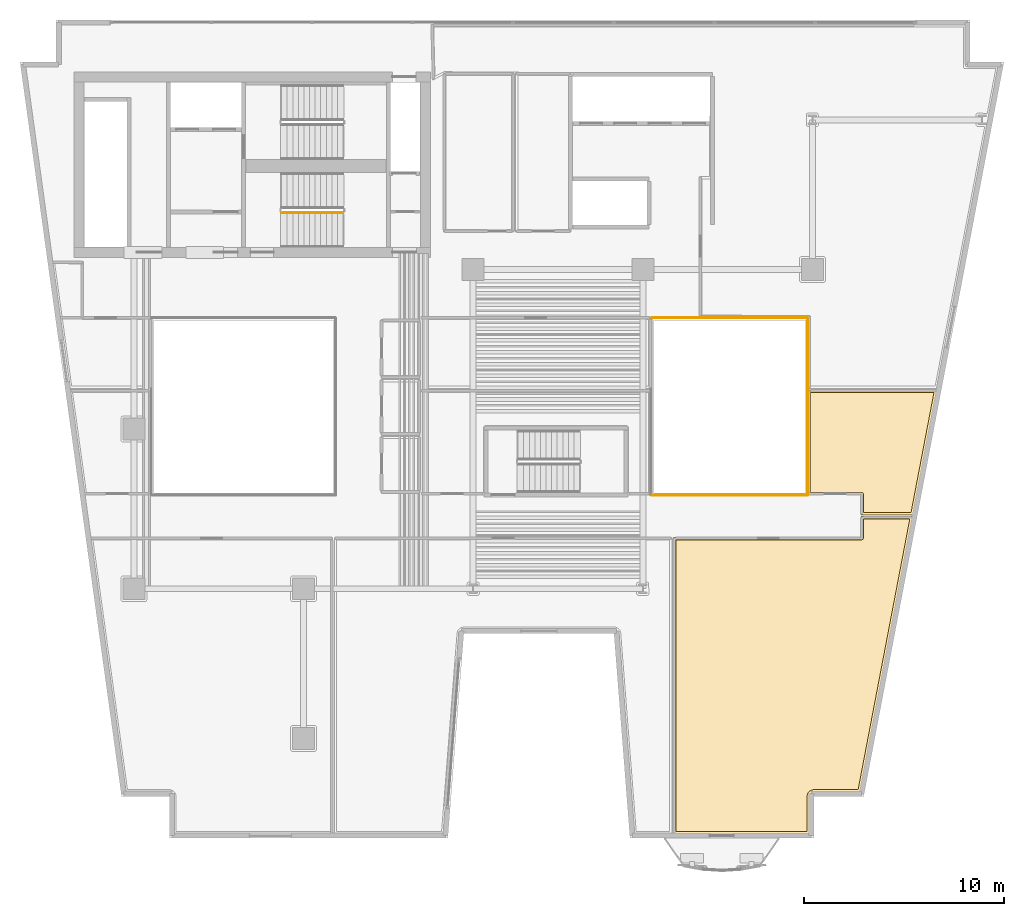
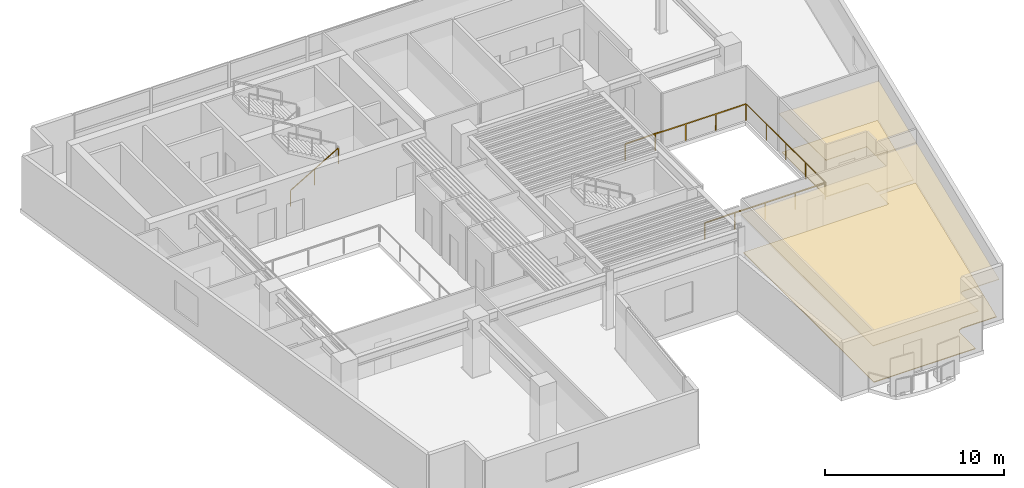
# One storey, part 11 of 13: 4 coverings, 4 railings.
"""IFC4 building model written with IfcOpenShell, lengths in metres."""

from ifc_helpers import new_model, si_unit, direction, frame, origin, origin_2d, place, context, subcontext, project, spatial, polyline, rectangle, outline, extrude, material, layer, layer_set, type_object, element, save


model = new_model("IFC4")

# Units and contexts
model_context = context("Model", 3, precision=1e-05, world=origin(), true_north=direction((0.0, 1.0)))
body_context = subcontext(model_context, "Body", "Model", "MODEL_VIEW")
ifc_project = project(units=[si_unit("LENGTHUNIT", "METRE"), si_unit("AREAUNIT", "SQUARE_METRE"), si_unit("VOLUMEUNIT", "CUBIC_METRE"), si_unit("PLANEANGLEUNIT", "RADIAN"), si_unit("MASSUNIT", "GRAM", prefix="KILO")], contexts=[model_context])

# Site, building, storey
site_placement = place(None, origin())
site = spatial("IfcSite", under=ifc_project, at=site_placement, CompositionType="ELEMENT")
building_placement = place(site_placement, origin())
building = spatial("IfcBuilding", under=site, at=building_placement, Name="Caeloran Harvest Quay", CompositionType="ELEMENT")
storey_placement = place(building_placement, frame((0.0, 0.0, 139.050048828125)))
storey = spatial("IfcBuildingStorey", under=building, at=storey_placement, Name="L32", CompositionType="ELEMENT", Elevation=139.050048828125)

# Coverings
ifc_material_1 = material(Name="Perforated Mineral-Fibre Acoustic Ceiling Tile", Category="ceiling")
ifc_layer_1 = layer(ifc_material_1, 0.0400390625, Name="Perforated Mineral-Fibre Acoustic Ceiling Tile")
ifc_layer_set_1 = layer_set([ifc_layer_1], Name="Perforated Mineral-Fibre Acoustic Ceiling Tile")
covering_type_1 = type_object("IfcCoveringType", Name="COV-CEILING-ACOUSTIC", PredefinedType="CEILING", material=ifc_layer_set_1)
covering_1_placement = place(storey_placement, frame((0.0, 0.0, 2.599853515625)))
element("IfcCovering", 1, at=covering_1_placement, inside=storey, type_object=covering_type_1, Name="Food Texture Sensory Laboratory Acoustic Ceiling", PredefinedType="CEILING", context=body_context, shape_type="SweptSolid", body=[
    extrude(outline(polyline([(44.93994140625, 17.56005859375), (44.93994140625, 18.610107421875), (47.522705078125, 18.610107421875), (44.888916015625, 4.820068359375), (42.571044921875, 4.820068359375), (42.506103515625, 4.810546875), (42.430419921875, 4.77001953125), (42.36669921875, 4.68408203125), (42.35009765625, 4.59912109375), (42.35009765625, 2.719970703125), (35.5400390625, 2.719970703125), (35.5400390625, 17.56005859375), (44.93994140625, 17.56005859375)])), origin(), (0.0, 0.0, 1.0), 0.0400390625),
])
covering_2_placement = place(storey_placement, frame((0.0, 0.0, 2.599853515625)))
element("IfcCovering", 2, at=covering_2_placement, inside=storey, type_object=covering_type_1, Name="Bioreactor Pilot Hall Acoustic Ceiling", PredefinedType="CEILING", context=body_context, shape_type="SweptSolid", body=[
    extrude(outline(polyline([(44.93994140625, 19.7099609375), (42.2900390625, 19.7099609375), (42.2900390625, 24.9599609375), (48.7353515625, 24.9599609375), (47.537841796875, 18.68994140625), (44.93994140625, 18.68994140625), (44.93994140625, 19.7099609375)])), origin(), (0.0, 0.0, 1.0), 0.0400390625),
])
ifc_material_2 = material(Name="Calcium-Sulphate Raised Access Floor and Terrazzo Finish", Category="flooring")
ifc_layer_2 = layer(ifc_material_2, 0.050048828125, Name="Calcium-Sulphate Raised Access Floor and Terrazzo Finish")
ifc_layer_set_2 = layer_set([ifc_layer_2], Name="Calcium-Sulphate Raised Access Floor and Terrazzo Finish")
covering_type_2 = type_object("IfcCoveringType", Name="COV-FLOOR-RAISED", PredefinedType="FLOORING", material=ifc_layer_set_2)
covering_3_placement = place(storey_placement, origin())
element("IfcCovering", 3, at=covering_3_placement, inside=storey, type_object=covering_type_2, Name="Food Texture Sensory Laboratory Raised Finish Flooring", PredefinedType="FLOORING", context=body_context, shape_type="SweptSolid", body=[
    extrude(outline(polyline([(44.97802734375, 17.443603515625), (45.037353515625, 17.4833984375), (45.059814453125, 17.543212890625), (45.06005859375, 18.489990234375), (47.37744140625, 18.489990234375), (44.789794921875, 4.93994140625), (42.566162109375, 4.93994140625), (42.357421875, 4.865234375), (42.268310546875, 4.7568359375), (42.231201171875, 4.62939453125), (42.22998046875, 2.840087890625), (35.659912109375, 2.840087890625), (35.659912109375, 17.43994140625), (44.97802734375, 17.443603515625)])), origin(), (0.0, 0.0, 1.0), 0.050048828125),
])
covering_4_placement = place(storey_placement, origin())
element("IfcCovering", 4, at=covering_4_placement, inside=storey, type_object=covering_type_2, Name="Bioreactor Pilot Hall Raised Finish Flooring", PredefinedType="FLOORING", context=body_context, shape_type="SweptSolid", body=[
    extrude(outline(polyline([(45.056396484375, 19.748046875), (45.0166015625, 19.807373046875), (44.953857421875, 19.829833984375), (42.409912109375, 19.830078125), (42.409912109375, 24.840087890625), (48.59033203125, 24.840087890625), (47.438720703125, 18.81005859375), (45.06005859375, 18.81005859375), (45.056396484375, 19.748046875)])), origin(), (0.0, 0.0, 1.0), 0.050048828125),
])

# Railings
ifc_material_3 = material(Name="Powder-Coated Steel Post and Laminated Glass Guardrail", Category="steel")
ifc_layer_3 = layer(ifc_material_3, 0.06005859375, Name="Powder-Coated Steel Post and Laminated Glass Guardrail")
ifc_layer_set_3 = layer_set([ifc_layer_3], Name="Powder-Coated Steel Post and Laminated Glass Guardrail")
railing_type_1 = type_object("IfcRailingType", Name="GUARD-ATRIUM-1150", PredefinedType="GUARDRAIL", material=ifc_layer_set_3)
railing_1_placement = place(storey_placement, frame((34.4619140625, 19.679931640625, 0.0)))
element("IfcRailing", 5, at=railing_1_placement, inside=storey, type_object=railing_type_1, Name="L32 East Botanical Lightwell Guardrail Seg 1", PredefinedType="GUARDRAIL", context=body_context, shape_type="SweptSolid", body=[
    extrude(rectangle(XDim=0.048095703125, YDim=0.048095703125, at=origin_2d()), frame((0.0, 0.0, 1.1259765625), z_axis=(1.0, 0.0, 0.0), x_axis=(0.0, 1.0, 0.0)), (0.0, 0.0, 1.0), 7.776123046875),
    extrude(rectangle(XDim=0.0419921875, YDim=0.0419921875, at=origin_2d()), origin(), (0.0, 0.0, 1.0), 1.101806640625),
    extrude(rectangle(XDim=0.0419921875, YDim=0.0419921875, at=origin_2d()), frame((1.944091796875, 0.0, 0.0)), (0.0, 0.0, 1.0), 1.101806640625),
    extrude(rectangle(XDim=0.0419921875, YDim=0.0419921875, at=origin_2d()), frame((3.88818359375, 0.0, 0.0)), (0.0, 0.0, 1.0), 1.101806640625),
    extrude(rectangle(XDim=0.0419921875, YDim=0.0419921875, at=origin_2d()), frame((5.83203125, 0.0, 0.0)), (0.0, 0.0, 1.0), 1.101806640625),
    extrude(rectangle(XDim=0.0419921875, YDim=0.0419921875, at=origin_2d()), frame((7.776123046875, 0.0, 0.0)), (0.0, 0.0, 1.0), 1.101806640625),
])
railing_2_placement = place(storey_placement, frame((42.27001953125, 19.7119140625, 0.0)))
element("IfcRailing", 6, at=railing_2_placement, inside=storey, type_object=railing_type_1, Name="L32 East Botanical Lightwell Guardrail Seg 2", PredefinedType="GUARDRAIL", context=body_context, shape_type="SweptSolid", body=[
    extrude(rectangle(XDim=0.048095703125, YDim=0.048095703125, at=origin_2d()), frame((0.0, 0.0, 1.1259765625), z_axis=(0.0, 1.0, 0.0), x_axis=(-1.0, 0.0, 0.0)), (0.0, 0.0, 1.0), 8.826171875),
    extrude(rectangle(XDim=0.0419921875, YDim=0.0419921875, at=origin_2d()), origin(), (0.0, 0.0, 1.0), 1.101806640625),
    extrude(rectangle(XDim=0.0419921875, YDim=0.0419921875, at=origin_2d()), frame((0.0, 2.20654296875, 0.0)), (0.0, 0.0, 1.0), 1.101806640625),
    extrude(rectangle(XDim=0.0419921875, YDim=0.0419921875, at=origin_2d()), frame((0.0, 4.4130859375, 0.0)), (0.0, 0.0, 1.0), 1.101806640625),
    extrude(rectangle(XDim=0.0419921875, YDim=0.0419921875, at=origin_2d()), frame((0.0, 6.61962890625, 0.0)), (0.0, 0.0, 1.0), 1.101806640625),
    extrude(rectangle(XDim=0.0419921875, YDim=0.0419921875, at=origin_2d()), frame((0.0, 8.826171875, 0.0)), (0.0, 0.0, 1.0), 1.101806640625),
])
railing_3_placement = place(storey_placement, frame((42.238037109375, 28.570068359375, 0.0)))
element("IfcRailing", 7, at=railing_3_placement, inside=storey, type_object=railing_type_1, Name="L32 East Botanical Lightwell Guardrail Seg 3", PredefinedType="GUARDRAIL", context=body_context, shape_type="SweptSolid", body=[
    extrude(rectangle(XDim=0.048095703125, YDim=0.048095703125, at=origin_2d()), frame((0.0, 0.0, 1.1259765625), z_axis=(-1.0, 0.0, 0.0), x_axis=(0.0, -1.0, 0.0)), (0.0, 0.0, 1.0), 7.776123046875),
    extrude(rectangle(XDim=0.0419921875, YDim=0.0419921875, at=origin_2d()), origin(), (0.0, 0.0, 1.0), 1.101806640625),
    extrude(rectangle(XDim=0.0419921875, YDim=0.0419921875, at=origin_2d()), frame((-1.944091796875, 0.0, 0.0)), (0.0, 0.0, 1.0), 1.101806640625),
    extrude(rectangle(XDim=0.0419921875, YDim=0.0419921875, at=origin_2d()), frame((-3.88818359375, 0.0, 0.0)), (0.0, 0.0, 1.0), 1.101806640625),
    extrude(rectangle(XDim=0.0419921875, YDim=0.0419921875, at=origin_2d()), frame((-5.83203125, 0.0, 0.0)), (0.0, 0.0, 1.0), 1.101806640625),
    extrude(rectangle(XDim=0.0419921875, YDim=0.0419921875, at=origin_2d()), frame((-7.776123046875, 0.0, 0.0)), (0.0, 0.0, 1.0), 1.101806640625),
])
ifc_material_4 = material(Name="Painted Steel Baluster and Top-Rail Stair Guard", Category="steel")
ifc_layer_4 = layer(ifc_material_4, 0.050048828125, Name="Painted Steel Baluster and Top-Rail Stair Guard")
ifc_layer_set_4 = layer_set([ifc_layer_4], Name="Painted Steel Baluster and Top-Rail Stair Guard")
railing_type_2 = type_object("IfcRailingType", Name="STAIR-GUARD-1100", PredefinedType="GUARDRAIL", material=ifc_layer_set_4)
railing_4_placement = place(storey_placement, frame((15.89990234375, 33.85009765625, 0.16455078125)))
element("IfcRailing", 8, at=railing_4_placement, inside=storey, type_object=railing_type_2, Name="L32 ST-C2 stair guard 1", PredefinedType="GUARDRAIL", context=body_context, shape_type="SweptSolid", body=[
    extrude(rectangle(XDim=0.048095703125, YDim=0.048095703125, at=origin_2d()), frame((0.0, 0.0, 1.076171875), z_axis=(0.862118610829, 0.0, 0.506706523406), x_axis=(0.0, 1.0, 0.0)), (0.0, 0.0, 1.0), 3.57275390625),
    extrude(rectangle(XDim=0.0419921875, YDim=0.0419921875, at=origin_2d()), origin(), (0.0, 0.0, 1.0), 1.052001953125),
    extrude(rectangle(XDim=0.0419921875, YDim=0.0419921875, at=origin_2d()), frame((1.5400390625, 0.0, 0.9052734375)), (0.0, 0.0, 1.0), 1.052001953125),
    extrude(rectangle(XDim=0.0419921875, YDim=0.0419921875, at=origin_2d()), frame((3.080078125, 0.0, 1.810302734375)), (0.0, 0.0, 1.0), 1.052001953125),
])

save(model, "model.ifc")
